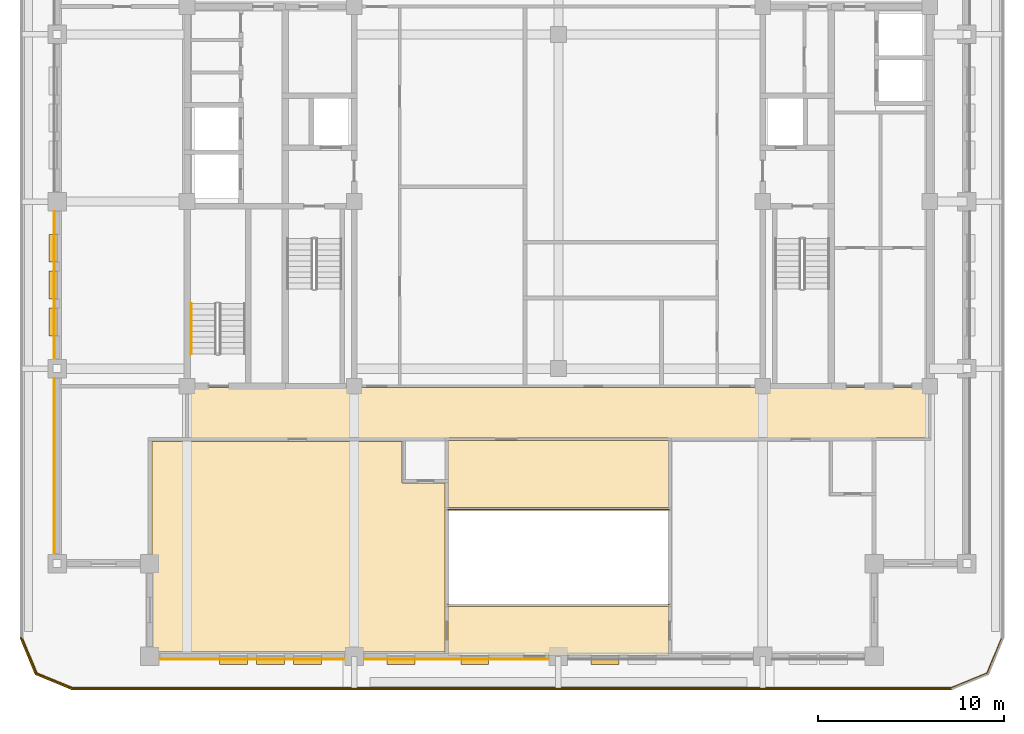
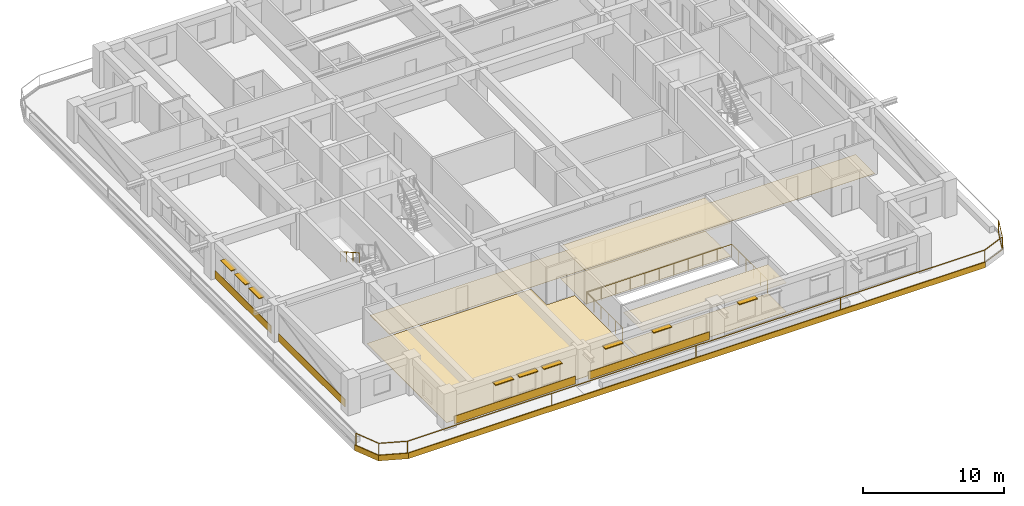
# One storey, part 8 of 14: 13 coverings, 9 shading devices, 3 railings.
"""IFC4 building model written with IfcOpenShell, lengths in metres."""

from ifc_helpers import new_model, si_unit, direction, frame, frame_2d, origin, origin_2d, place, context, subcontext, project, spatial, polyline, rectangle, outline, extrude, material, layer, layer_set, type_object, element, save


model = new_model("IFC4")

# Units and contexts
model_context = context("Model", 3, precision=1e-05, world=origin(), true_north=direction((0.0, 1.0)))
body_context = subcontext(model_context, "Body", "Model", "MODEL_VIEW")
ifc_project = project(units=[si_unit("LENGTHUNIT", "METRE"), si_unit("AREAUNIT", "SQUARE_METRE"), si_unit("VOLUMEUNIT", "CUBIC_METRE"), si_unit("PLANEANGLEUNIT", "RADIAN"), si_unit("MASSUNIT", "GRAM", prefix="KILO")], contexts=[model_context])

# Site, building, storey
site_placement = place(None, origin())
site = spatial("IfcSite", under=ifc_project, at=site_placement, CompositionType="ELEMENT")
building_placement = place(site_placement, origin())
building = spatial("IfcBuilding", under=site, at=building_placement, Name="Zulmaris Gate Convention Tower", CompositionType="ELEMENT")
storey_placement = place(building_placement, frame((0.0, 0.0, 215.260009765625)))
storey = spatial("IfcBuildingStorey", under=building, at=storey_placement, Name="L56", CompositionType="ELEMENT", Elevation=215.260009765625)

# Coverings
ifc_material_1 = material(Name="Precast concrete C40/50", Category="concrete")
ifc_layer_1 = layer(ifc_material_1, 0.0400390625, Name="Precast concrete C40/50")
ifc_layer_set_1 = layer_set([ifc_layer_1], Name="Precast concrete C40/50")
covering_type_1 = type_object("IfcCoveringType", Name="CLAD-SPANDREL-PRECAST", PredefinedType="CLADDING", material=ifc_layer_set_1)
for number, where, z_axis, x_axis, name in (
    (1, (-21.469970703125, -24.64990234375, 0.0), (0.0, 0.0, 1.0), (1.0, 0.0, 0.0), "CLD-L56-S-0_0"),
    (2, (-10.469970703125, -24.64990234375, 0.0), (0.0, 0.0, 1.0), (1.0, 0.0, 0.0), "CLD-L56-S-1_0"),
):
    element("IfcCovering", number, at=place(storey_placement, frame(where, z_axis=z_axis, x_axis=x_axis)), inside=storey, type_object=covering_type_1, Name=name, PredefinedType="CLADDING", context=body_context, shape_type="SweptSolid", body=[
        extrude(rectangle(XDim=9.93994140625, YDim=0.0400390625, at=frame_2d((4.969970703125, 0.0))), origin(), (0.0, 0.0, 1.0), 0.679931640625),
    ])
covering_1_placement = place(storey_placement, frame((-27.14990234375, -9.530029296875, 0.0), z_axis=(0.0, 0.0, 1.0), x_axis=(0.0, -1.0, 0.0)))
element("IfcCovering", 3, at=covering_1_placement, inside=storey, type_object=covering_type_1, Name="CLD-L56-W-0_0", PredefinedType="CLADDING", context=body_context, shape_type="SweptSolid", body=[
    extrude(rectangle(XDim=9.43994140625, YDim=0.0400390625, at=frame_2d((4.719970703125, 0.0))), origin(), (0.0, 0.0, 1.0), 0.679931640625),
])
covering_2_placement = place(storey_placement, frame((-27.14990234375, -0.530029296875, 0.0), z_axis=(0.0, 0.0, 1.0), x_axis=(0.0, -1.0, 0.0)))
element("IfcCovering", 4, at=covering_2_placement, inside=storey, type_object=covering_type_1, Name="CLD-L56-W-1_0", PredefinedType="CLADDING", context=body_context, shape_type="SweptSolid", body=[
    extrude(rectangle(XDim=7.93994140625, YDim=0.0400390625, at=frame_2d((3.969970703125, 0.0))), origin(), (0.0, 0.0, 1.0), 0.679931640625),
])
ifc_material_2 = material(Name="White Glazed Architectural Precast Concrete C40/50", Category="concrete")
ifc_layer_2 = layer(ifc_material_2, 0.080078125, Name="White Glazed Architectural Precast Concrete C40/50")
ifc_layer_set_2 = layer_set([ifc_layer_2], Name="White Glazed Architectural Precast Concrete C40/50")
covering_type_2 = type_object("IfcCoveringType", Name="CLAD-TRAY-FASCIA", PredefinedType="CLADDING", material=ifc_layer_set_2)
covering_3_placement = place(storey_placement, frame((-28.962890625, -23.484619140625, -0.364990234375), z_axis=(0.0, 0.0, 1.0), x_axis=(0.382656984709, -0.923890487046, 0.0)))
element("IfcCovering", 5, at=covering_3_placement, inside=storey, type_object=covering_type_2, Name="FSC-L56-TR-00", PredefinedType="CLADDING", context=body_context, shape_type="SweptSolid", body=[
    extrude(rectangle(XDim=2.14306640625, YDim=0.080078125, at=frame_2d((1.071533203125, 0.0))), origin(), (0.0, 0.0, 1.0), 0.48486328125),
])
covering_4_placement = place(storey_placement, frame((-28.16455078125, -25.44287109375, -0.364990234375), z_axis=(0.0, 0.0, 1.0), x_axis=(0.923873803533, -0.382697263049, 0.0)))
element("IfcCovering", 6, at=covering_4_placement, inside=storey, type_object=covering_type_2, Name="FSC-L56-TR-01", PredefinedType="CLADDING", context=body_context, shape_type="SweptSolid", body=[
    extrude(rectangle(XDim=2.142822265625, YDim=0.080078125, at=frame_2d((1.0712890625, 0.0))), origin(), (0.0, 0.0, 1.0), 0.48486328125),
])
covering_5_placement = place(storey_placement, frame((-26.199951171875, -26.260009765625, -0.364990234375), z_axis=(0.0, 0.0, 1.0), x_axis=(1.0, 0.0, 0.0)))
element("IfcCovering", 7, at=covering_5_placement, inside=storey, type_object=covering_type_2, Name="FSC-L56-TR-02", PredefinedType="CLADDING", context=body_context, shape_type="SweptSolid", body=[
    extrude(rectangle(XDim=47.39990234375, YDim=0.080078125, at=frame_2d((23.699951171875, 0.0))), origin(), (0.0, 0.0, 1.0), 0.48486328125),
])
ifc_material_3 = material(Name="Mineral Fibre Acoustic Ceiling Tile")
ifc_layer_3 = layer(ifc_material_3, 0.02001953125, Name="Mineral Fibre Acoustic Ceiling Tile")
ifc_layer_set_3 = layer_set([ifc_layer_3], Name="Mineral Fibre Acoustic Ceiling Tile")
covering_type_3 = type_object("IfcCoveringType", Name="CLG-ACOUSTIC-600", PredefinedType="CEILING", material=ifc_layer_set_3)
covering_6_placement = place(storey_placement, frame((0.0, 0.0, 2.510009765625)))
element("IfcCovering", 8, at=covering_6_placement, inside=storey, type_object=covering_type_3, Name="CLG-L56-R45", PredefinedType="CEILING", context=body_context, shape_type="SweptSolid", body=[
    extrude(outline(polyline([(-5.93994140625, -24.43994140625), (5.93994140625, -24.43994140625), (5.93994140625, -21.81005859375), (-5.93994140625, -21.81005859375), (-5.93994140625, -24.43994140625)])), origin(), (0.0, 0.0, 1.0), 0.019775390625),
])
covering_7_placement = place(storey_placement, frame((0.0, 0.0, 2.869873046875)))
element("IfcCovering", 9, at=covering_7_placement, inside=storey, type_object=covering_type_3, Name="CLG-L56-R46", PredefinedType="CEILING", context=body_context, shape_type="SweptSolid", body=[
    extrude(outline(polyline([(-5.93994140625, -16.489990234375), (5.93994140625, -16.489990234375), (5.93994140625, -12.860107421875), (-5.93994140625, -12.860107421875), (-5.93994140625, -16.489990234375)])), origin(), (0.0, 0.0, 1.0), 0.02001953125),
])
ifc_material_4 = material(Name="Woven Acoustic Wool Carpet Tile")
ifc_layer_4 = layer(ifc_material_4, 0.02001953125, Name="Woven Acoustic Wool Carpet Tile")
ifc_layer_set_4 = layer_set([ifc_layer_4], Name="Woven Acoustic Wool Carpet Tile")
covering_type_4 = type_object("IfcCoveringType", Name="FLR-CARPET-12", PredefinedType="FLOORING", material=ifc_layer_set_4)
covering_8_placement = place(storey_placement, origin())
element("IfcCovering", 10, at=covering_8_placement, inside=storey, type_object=covering_type_4, Name="FLR-L56-R32", PredefinedType="FLOORING", context=body_context, shape_type="SweptSolid", body=[
    extrude(outline(polyline([(-19.93994140625, -12.739990234375), (19.93994140625, -12.739990234375), (19.93994140625, -10.010009765625), (-19.93994140625, -10.010009765625), (-19.93994140625, -12.739990234375)])), origin(), (0.0, 0.0, 1.0), 0.02001953125),
])
ifc_material_5 = material(Name="Engineered Teak Parquet Flooring")
ifc_layer_5 = layer(ifc_material_5, 0.02001953125, Name="Engineered Teak Parquet Flooring")
ifc_layer_set_5 = layer_set([ifc_layer_5], Name="Engineered Teak Parquet Flooring")
covering_type_5 = type_object("IfcCoveringType", Name="FLR-TIMBER-18", PredefinedType="FLOORING", material=ifc_layer_set_5)
covering_9_placement = place(storey_placement, origin())
element("IfcCovering", 11, at=covering_9_placement, inside=storey, type_object=covering_type_5, Name="FLR-L56-R45", PredefinedType="FLOORING", context=body_context, shape_type="SweptSolid", body=[
    extrude(outline(polyline([(-5.93994140625, -24.43994140625), (5.93994140625, -24.43994140625), (5.93994140625, -21.81005859375), (-5.93994140625, -21.81005859375), (-5.93994140625, -24.43994140625)])), origin(), (0.0, 0.0, 1.0), 0.02001953125),
])
covering_10_placement = place(storey_placement, origin())
element("IfcCovering", 12, at=covering_10_placement, inside=storey, type_object=covering_type_5, Name="FLR-L56-R46", PredefinedType="FLOORING", context=body_context, shape_type="SweptSolid", body=[
    extrude(outline(polyline([(-5.93994140625, -16.489990234375), (5.93994140625, -16.489990234375), (5.93994140625, -12.860107421875), (-5.93994140625, -12.860107421875), (-5.93994140625, -16.489990234375)])), origin(), (0.0, 0.0, 1.0), 0.02001953125),
])
covering_11_placement = place(storey_placement, origin())
element("IfcCovering", 13, at=covering_11_placement, inside=storey, type_object=covering_type_5, Name="FLR-L56-R48", PredefinedType="FLOORING", context=body_context, shape_type="SweptSolid", body=[
    extrude(outline(polyline([(-21.8798828125, -24.260009765625), (-6.1201171875, -24.260009765625), (-6.1201171875, -15.169921875), (-8.419921875, -15.169921875), (-8.419921875, -12.919921875), (-21.8798828125, -12.919921875), (-21.8798828125, -24.260009765625)])), origin(), (0.0, 0.0, 1.0), 0.02001953125),
])

# Railings
ifc_material_6 = material(Name="Laminated Glass and Stainless Steel", Category="steel")
railing_type_1 = type_object("IfcRailingType", Name="RL-BALC-1150", PredefinedType="BALUSTRADE", material=ifc_material_6)
railing_1_placement = place(storey_placement, frame((-28.8798828125, -23.5, -0.0400390625)))
element("IfcRailing", 14, at=railing_1_placement, inside=storey, type_object=railing_type_1, Name="RL-L56-BALC-S", PredefinedType="BALUSTRADE", context=body_context, shape_type="SweptSolid", body=[
    extrude(rectangle(XDim=0.048095703125, YDim=0.048095703125, at=origin_2d()), frame((0.0, 0.0, 1.1259765625), z_axis=(0.382670664694, -0.92388482095, 0.0), x_axis=(0.92388482095, 0.382670664694, 0.0)), (0.0, 0.0, 1.0), 2.051025390625),
    extrude(rectangle(XDim=0.048095703125, YDim=0.048095703125, at=origin_2d()), frame((0.0, 0.0, 0.02392578125), z_axis=(0.382670664694, -0.92388482095, 0.0), x_axis=(0.92388482095, 0.382670664694, 0.0)), (0.0, 0.0, 1.0), 2.051025390625),
    extrude(rectangle(XDim=0.048095703125, YDim=0.048095703125, at=origin_2d()), frame((0.784912109375, -1.89501953125, 1.1259765625), z_axis=(0.92388482095, -0.382670664694, 0.0), x_axis=(0.382670664694, 0.92388482095, 0.0)), (0.0, 0.0, 1.0), 2.051025390625),
    extrude(rectangle(XDim=0.048095703125, YDim=0.048095703125, at=origin_2d()), frame((0.784912109375, -1.89501953125, 0.02392578125), z_axis=(0.92388482095, -0.382670664694, 0.0), x_axis=(0.382670664694, 0.92388482095, 0.0)), (0.0, 0.0, 1.0), 2.051025390625),
    extrude(rectangle(XDim=0.048095703125, YDim=0.048095703125, at=origin_2d()), frame((2.679931640625, -2.679931640625, 1.1259765625), z_axis=(1.0, 0.0, 0.0), x_axis=(0.0, 1.0, 0.0)), (0.0, 0.0, 1.0), 47.39990234375),
    extrude(rectangle(XDim=0.048095703125, YDim=0.048095703125, at=origin_2d()), frame((2.679931640625, -2.679931640625, 0.02392578125), z_axis=(1.0, 0.0, 0.0), x_axis=(0.0, 1.0, 0.0)), (0.0, 0.0, 1.0), 47.39990234375),
    extrude(rectangle(XDim=0.048095703125, YDim=0.048095703125, at=origin_2d()), frame((50.079833984375, -2.679931640625, 1.1259765625), z_axis=(0.92388482095, 0.382670664694, 0.0), x_axis=(-0.382670664694, 0.92388482095, 0.0)), (0.0, 0.0, 1.0), 2.051025390625),
    extrude(rectangle(XDim=0.048095703125, YDim=0.048095703125, at=origin_2d()), frame((50.079833984375, -2.679931640625, 0.02392578125), z_axis=(0.92388482095, 0.382670664694, 0.0), x_axis=(-0.382670664694, 0.92388482095, 0.0)), (0.0, 0.0, 1.0), 2.051025390625),
    extrude(rectangle(XDim=0.048095703125, YDim=0.048095703125, at=origin_2d()), frame((51.974853515625, -1.89501953125, 1.1259765625), z_axis=(0.382670664694, 0.92388482095, 0.0), x_axis=(-0.92388482095, 0.382670664694, 0.0)), (0.0, 0.0, 1.0), 2.051025390625),
    extrude(rectangle(XDim=0.048095703125, YDim=0.048095703125, at=origin_2d()), frame((51.974853515625, -1.89501953125, 0.02392578125), z_axis=(0.382670664694, 0.92388482095, 0.0), x_axis=(-0.92388482095, 0.382670664694, 0.0)), (0.0, 0.0, 1.0), 2.051025390625),
    extrude(rectangle(XDim=0.0419921875, YDim=0.0419921875, at=origin_2d()), origin(), (0.0, 0.0, 1.0), 1.101806640625),
    extrude(rectangle(XDim=0.0419921875, YDim=0.0419921875, at=origin_2d()), frame((0.784912109375, -1.89501953125, 0.0)), (0.0, 0.0, 1.0), 1.101806640625),
    extrude(rectangle(XDim=0.0419921875, YDim=0.0419921875, at=origin_2d()), frame((2.679931640625, -2.679931640625, 0.0)), (0.0, 0.0, 1.0), 1.101806640625),
    extrude(rectangle(XDim=0.0419921875, YDim=0.0419921875, at=origin_2d()), frame((14.52978515625, -2.679931640625, 0.0)), (0.0, 0.0, 1.0), 1.101806640625),
    extrude(rectangle(XDim=0.0419921875, YDim=0.0419921875, at=origin_2d()), frame((26.3798828125, -2.679931640625, 0.0)), (0.0, 0.0, 1.0), 1.101806640625),
    extrude(rectangle(XDim=0.0419921875, YDim=0.0419921875, at=origin_2d()), frame((38.22998046875, -2.679931640625, 0.0)), (0.0, 0.0, 1.0), 1.101806640625),
    extrude(rectangle(XDim=0.0419921875, YDim=0.0419921875, at=origin_2d()), frame((50.079833984375, -2.679931640625, 0.0)), (0.0, 0.0, 1.0), 1.101806640625),
    extrude(rectangle(XDim=0.0419921875, YDim=0.0419921875, at=origin_2d()), frame((51.974853515625, -1.89501953125, 0.0)), (0.0, 0.0, 1.0), 1.101806640625),
    extrude(rectangle(XDim=0.0419921875, YDim=0.0419921875, at=origin_2d()), frame((52.759765625, 0.0, 0.0)), (0.0, 0.0, 1.0), 1.101806640625),
])
ifc_material_7 = material(Name="Painted Galvanised Steel", Category="steel")
railing_type_2 = type_object("IfcRailingType", Name="RL-GUARD-1150", PredefinedType="GUARDRAIL", material=ifc_material_7)
railing_2_placement = place(storey_placement, frame((-5.949951171875, -21.699951171875, 0.0)))
element("IfcRailing", 15, at=railing_2_placement, inside=storey, type_object=railing_type_2, Name="RL-L56-SKYGARDEN-VOID", PredefinedType="GUARDRAIL", context=body_context, shape_type="SweptSolid", body=[
    extrude(rectangle(XDim=0.048095703125, YDim=0.048095703125, at=origin_2d()), frame((0.0, 0.0, 1.1259765625), z_axis=(0.0, 1.0, 0.0), x_axis=(-1.0, 0.0, 0.0)), (0.0, 0.0, 1.0), 5.099853515625),
    extrude(rectangle(XDim=0.048095703125, YDim=0.048095703125, at=origin_2d()), frame((0.0, 5.099853515625, 1.1259765625), z_axis=(1.0, 0.0, 0.0), x_axis=(0.0, 1.0, 0.0)), (0.0, 0.0, 1.0), 11.89990234375),
    extrude(rectangle(XDim=0.048095703125, YDim=0.048095703125, at=origin_2d()), frame((11.89990234375, 5.099853515625, 1.1259765625), z_axis=(0.0, -1.0, 0.0), x_axis=(1.0, 0.0, 0.0)), (0.0, 0.0, 1.0), 5.099853515625),
    extrude(rectangle(XDim=0.0419921875, YDim=0.0419921875, at=origin_2d()), origin(), (0.0, 0.0, 1.0), 1.101806640625),
    extrude(rectangle(XDim=0.0419921875, YDim=0.0419921875, at=origin_2d()), frame((0.0, 1.02001953125, 0.0)), (0.0, 0.0, 1.0), 1.101806640625),
    extrude(rectangle(XDim=0.0419921875, YDim=0.0419921875, at=origin_2d()), frame((0.0, 2.0400390625, 0.0)), (0.0, 0.0, 1.0), 1.101806640625),
    extrude(rectangle(XDim=0.0419921875, YDim=0.0419921875, at=origin_2d()), frame((0.0, 3.059814453125, 0.0)), (0.0, 0.0, 1.0), 1.101806640625),
    extrude(rectangle(XDim=0.0419921875, YDim=0.0419921875, at=origin_2d()), frame((0.0, 4.079833984375, 0.0)), (0.0, 0.0, 1.0), 1.101806640625),
    extrude(rectangle(XDim=0.0419921875, YDim=0.0419921875, at=origin_2d()), frame((0.0, 5.099853515625, 0.0)), (0.0, 0.0, 1.0), 1.101806640625),
    extrude(rectangle(XDim=0.0419921875, YDim=0.0419921875, at=origin_2d()), frame((1.18994140625, 5.099853515625, 0.0)), (0.0, 0.0, 1.0), 1.101806640625),
    extrude(rectangle(XDim=0.0419921875, YDim=0.0419921875, at=origin_2d()), frame((2.3798828125, 5.099853515625, 0.0)), (0.0, 0.0, 1.0), 1.101806640625),
    extrude(rectangle(XDim=0.0419921875, YDim=0.0419921875, at=origin_2d()), frame((3.570068359375, 5.099853515625, 0.0)), (0.0, 0.0, 1.0), 1.101806640625),
    extrude(rectangle(XDim=0.0419921875, YDim=0.0419921875, at=origin_2d()), frame((4.760009765625, 5.099853515625, 0.0)), (0.0, 0.0, 1.0), 1.101806640625),
    extrude(rectangle(XDim=0.0419921875, YDim=0.0419921875, at=origin_2d()), frame((5.949951171875, 5.099853515625, 0.0)), (0.0, 0.0, 1.0), 1.101806640625),
    extrude(rectangle(XDim=0.0419921875, YDim=0.0419921875, at=origin_2d()), frame((7.139892578125, 5.099853515625, 0.0)), (0.0, 0.0, 1.0), 1.101806640625),
    extrude(rectangle(XDim=0.0419921875, YDim=0.0419921875, at=origin_2d()), frame((8.329833984375, 5.099853515625, 0.0)), (0.0, 0.0, 1.0), 1.101806640625),
    extrude(rectangle(XDim=0.0419921875, YDim=0.0419921875, at=origin_2d()), frame((9.52001953125, 5.099853515625, 0.0)), (0.0, 0.0, 1.0), 1.101806640625),
    extrude(rectangle(XDim=0.0419921875, YDim=0.0419921875, at=origin_2d()), frame((10.7099609375, 5.099853515625, 0.0)), (0.0, 0.0, 1.0), 1.101806640625),
    extrude(rectangle(XDim=0.0419921875, YDim=0.0419921875, at=origin_2d()), frame((11.89990234375, 5.099853515625, 0.0)), (0.0, 0.0, 1.0), 1.101806640625),
    extrude(rectangle(XDim=0.0419921875, YDim=0.0419921875, at=origin_2d()), frame((11.89990234375, 4.079833984375, 0.0)), (0.0, 0.0, 1.0), 1.101806640625),
    extrude(rectangle(XDim=0.0419921875, YDim=0.0419921875, at=origin_2d()), frame((11.89990234375, 3.059814453125, 0.0)), (0.0, 0.0, 1.0), 1.101806640625),
    extrude(rectangle(XDim=0.0419921875, YDim=0.0419921875, at=origin_2d()), frame((11.89990234375, 2.0400390625, 0.0)), (0.0, 0.0, 1.0), 1.101806640625),
    extrude(rectangle(XDim=0.0419921875, YDim=0.0419921875, at=origin_2d()), frame((11.89990234375, 1.02001953125, 0.0)), (0.0, 0.0, 1.0), 1.101806640625),
    extrude(rectangle(XDim=0.0419921875, YDim=0.0419921875, at=origin_2d()), frame((11.89990234375, 0.0, 0.0)), (0.0, 0.0, 1.0), 1.101806640625),
])
ifc_material_8 = material(Name="Brushed Stainless Steel", Category="steel")
railing_type_3 = type_object("IfcRailingType", Name="RL-STH-900", PredefinedType="HANDRAIL", material=ifc_material_8)
railing_3_placement = place(storey_placement, frame((-19.77001953125, -5.5, 1.869873046875)))
element("IfcRailing", 16, at=railing_3_placement, inside=storey, type_object=railing_type_3, Name="L56 ST-3 stair handrail 2", PredefinedType="HANDRAIL", context=body_context, shape_type="SweptSolid", body=[
    extrude(rectangle(XDim=0.048095703125, YDim=0.048095703125, at=origin_2d()), frame((0.0, 0.0, 0.8759765625), z_axis=(0.0, -0.870014312096, 0.49302646658), x_axis=(1.0, 0.0, 0.0)), (0.0, 0.0, 1.0), 3.103271484375),
    extrude(rectangle(XDim=0.0419921875, YDim=0.0419921875, at=origin_2d()), origin(), (0.0, 0.0, 1.0), 0.851806640625),
    extrude(rectangle(XDim=0.0419921875, YDim=0.0419921875, at=origin_2d()), frame((0.0, -0.89990234375, 0.510009765625)), (0.0, 0.0, 1.0), 0.851806640625),
    extrude(rectangle(XDim=0.0419921875, YDim=0.0419921875, at=origin_2d()), frame((0.0, -1.800048828125, 1.02001953125)), (0.0, 0.0, 1.0), 0.851806640625),
    extrude(rectangle(XDim=0.0419921875, YDim=0.0419921875, at=origin_2d()), frame((0.0, -2.699951171875, 1.530029296875)), (0.0, 0.0, 1.0), 0.851806640625),
])

# Shading devices
ifc_material_9 = material(Name="Glazed Ceramic Terracotta", Category="masonry")
ifc_layer_6 = layer(ifc_material_9, 0.070068359375, Name="Glazed Ceramic Terracotta")
ifc_layer_set_6 = layer_set([ifc_layer_6], Name="Glazed Ceramic Terracotta")
shading_device_type = type_object("IfcShadingDeviceType", Name="SHD-SUNSHADE-TC", PredefinedType="AWNING", material=ifc_layer_set_6)
for number, where, z_axis, x_axis, name in (
    (17, (-18.243896484375, -24.719970703125, 2.35009765625), (0.0, 0.0, 1.0), (1.0, 0.0, 0.0), "SHD-EW-L56-S-0_0-2"),
    (18, (-16.256103515625, -24.719970703125, 2.35009765625), (0.0, 0.0, 1.0), (1.0, 0.0, 0.0), "SHD-EW-L56-S-0_0-3"),
    (19, (-14.26806640625, -24.719970703125, 2.35009765625), (0.0, 0.0, 1.0), (1.0, 0.0, 0.0), "SHD-EW-L56-S-0_0-4"),
    (20, (-9.23193359375, -24.719970703125, 2.35009765625), (0.0, 0.0, 1.0), (1.0, 0.0, 0.0), "SHD-EW-L56-S-1_0-1"),
    (21, (-5.256103515625, -24.719970703125, 2.35009765625), (0.0, 0.0, 1.0), (1.0, 0.0, 0.0), "SHD-EW-L56-S-1_0-3"),
    (22, (1.76806640625, -24.719970703125, 2.35009765625), (0.0, 0.0, 1.0), (1.0, 0.0, 0.0), "SHD-EW-L56-S-2_0-1"),
    (23, (-27.219970703125, -1.764892578125, 2.35009765625), (0.0, 0.0, 1.0), (0.0, -1.0, 0.0), "SHD-EW-L56-W-1_0-1"),
    (24, (-27.219970703125, -3.75, 2.35009765625), (0.0, 0.0, 1.0), (0.0, -1.0, 0.0), "SHD-EW-L56-W-1_0-2"),
    (25, (-27.219970703125, -5.735107421875, 2.35009765625), (0.0, 0.0, 1.0), (0.0, -1.0, 0.0), "SHD-EW-L56-W-1_0-3"),
):
    element("IfcShadingDevice", number, at=place(storey_placement, frame(where, z_axis=z_axis, x_axis=x_axis)), inside=storey, type_object=shading_device_type, Name=name, PredefinedType="AWNING", context=body_context, shape_type="SweptSolid", body=[
        extrude(rectangle(XDim=1.5, YDim=0.43994140625, at=frame_2d((0.75, 0.0))), origin(), (0.0, 0.0, 1.0), 0.06982421875),
    ])

save(model, "model.ifc")
